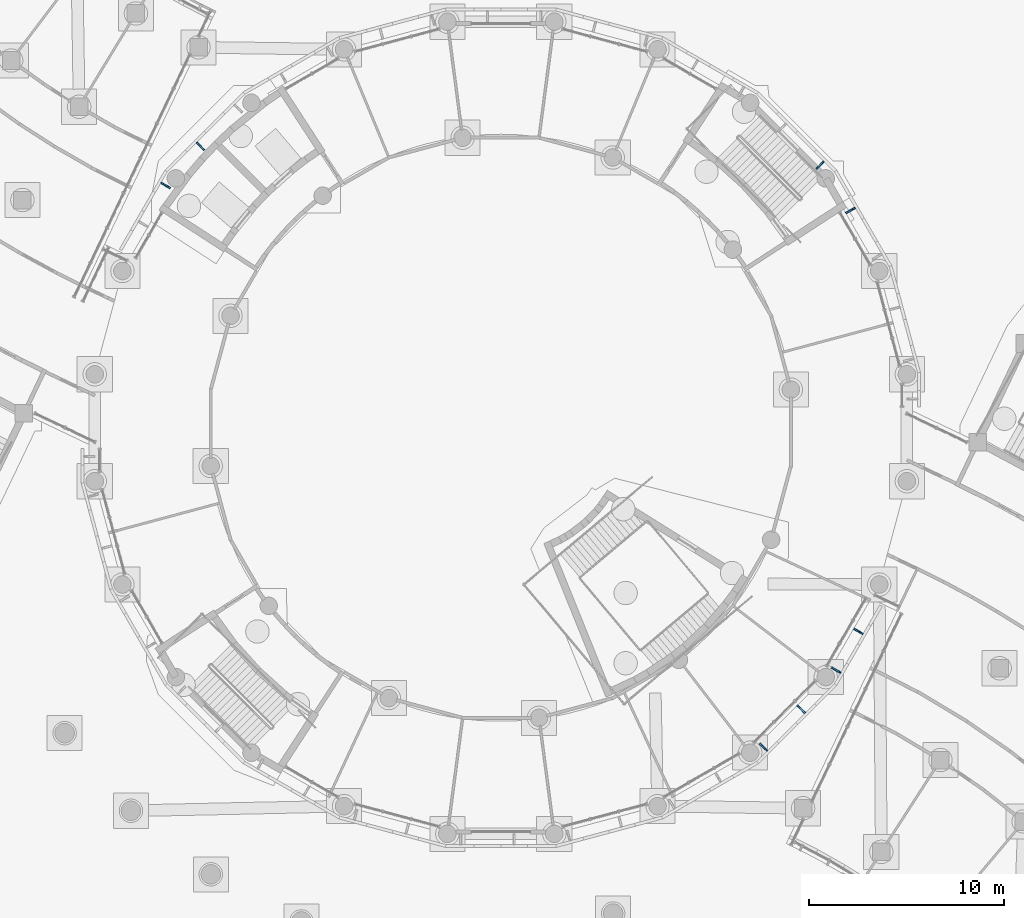
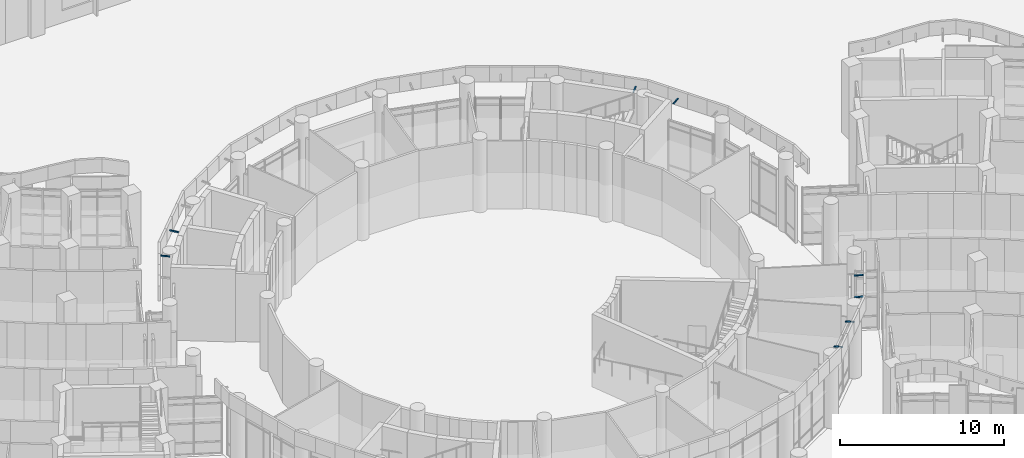
# One storey, part 108 of 146: 8 discrete accessories.
"""IFC4 building model written with IfcOpenShell, lengths in metres."""

import ifcopenshell
import ifcopenshell.guid

model = None  # the IFC model being written
_history = None  # IfcOwnerHistory: only IFC2X3 demands one
_inside = {}  # id of a spatial element -> (the spatial element, [elements in it])
_under = {}  # id of a project, library or spatial element -> (it, [spatial elements below it])
_declared = {}  # id of a project -> (the project, [libraries it declares])
_typed = {}  # id of a type object -> (the type object, [elements of that type])
_made_of = {}  # id of a material, layer set ... -> (it, [elements and type objects made of it])


def new_model(schema):
    """Start an empty IFC model of exactly this schema.

    Asked for "IFC4X3", IfcOpenShell would pick the latest addendum, in which some entities
    have other attributes; the version numbers below select the first issue.
    IFC2X3 requires an IfcOwnerHistory on every rooted entity: one is made here for all.
    """
    global model, _history
    if schema == "IFC4X3":
        model = ifcopenshell.file(schema_version=(4, 3, 0, 0))
    else:
        model = ifcopenshell.file(schema=schema)
    _inside.clear()
    _under.clear()
    _declared.clear()
    _typed.clear()
    _made_of.clear()
    _history = None
    if model.schema == "IFC2X3":
        org = make("IfcOrganization", Name="unknown")
        user = make(
            "IfcPersonAndOrganization",
            ThePerson=make("IfcPerson", FamilyName="unknown"),
            TheOrganization=org,
        )
        app = make(
            "IfcApplication",
            ApplicationDeveloper=org,
            Version="unknown",
            ApplicationFullName="unknown",
            ApplicationIdentifier="unknown",
        )
        _history = make(
            "IfcOwnerHistory",
            OwningUser=user,
            OwningApplication=app,
            ChangeAction="ADDED",
            CreationDate=0,
        )
    return model


def make(cls, **values):
    """One entity of the class cls with the attributes given. An attribute that is None is left unset."""
    return model.create_entity(
        cls, **{name: value for name, value in values.items() if value is not None}
    )


def rooted(cls, **values):
    """An entity with a GlobalId (a new one), such as an element, a storey or a relation."""
    return make(cls, GlobalId=ifcopenshell.guid.new(), OwnerHistory=_history, **values)


def si_unit(unit_type, name, prefix=None):
    """IfcSIUnit, for example si_unit("LENGTHUNIT", "METRE", prefix="MILLI")."""
    return make("IfcSIUnit", UnitType=unit_type, Prefix=prefix, Name=name)


def assignment(units):
    """IfcUnitAssignment: the units of a project."""
    return None if units is None else make("IfcUnitAssignment", Units=units)


def point(xyz):
    """IfcCartesianPoint."""
    return None if xyz is None else make("IfcCartesianPoint", Coordinates=xyz)


def direction(xyz):
    """IfcDirection."""
    return None if xyz is None else make("IfcDirection", DirectionRatios=xyz)


def frame(location, z_axis=None, x_axis=None):
    """IfcAxis2Placement3D, a coordinate frame: its origin and axes. An axis left out is left unset."""
    return make(
        "IfcAxis2Placement3D",
        Location=point(location),
        Axis=direction(z_axis),
        RefDirection=direction(x_axis),
    )


def frame_2d(location, x_axis=None):
    """IfcAxis2Placement2D, a coordinate frame in the plane: its origin and x axis."""
    return make(
        "IfcAxis2Placement2D", Location=point(location), RefDirection=direction(x_axis)
    )


def origin():
    """The frame at (0, 0, 0) with its axes left unset."""
    return frame((0.0, 0.0, 0.0))


def origin_2d():
    """The frame at (0, 0) in the plane with its x axis left unset."""
    return frame_2d((0.0, 0.0))


def place(relative_to, where):
    """IfcLocalPlacement: puts the frame where relative to a parent placement (None: the world)."""
    return make(
        "IfcLocalPlacement", PlacementRelTo=relative_to, RelativePlacement=where
    )


def context(
    kind, dimensions, precision=None, world=None, true_north=None, identifier=None
):
    """IfcGeometricRepresentationContext, for example the 3D "Model" context."""
    return make(
        "IfcGeometricRepresentationContext",
        ContextIdentifier=identifier,
        ContextType=kind,
        CoordinateSpaceDimension=dimensions,
        Precision=precision,
        WorldCoordinateSystem=world,
        TrueNorth=true_north,
    )


def subcontext(parent, identifier, kind, view, scale=None):
    """IfcGeometricRepresentationSubContext, for example "Body" below "Model"."""
    return make(
        "IfcGeometricRepresentationSubContext",
        ContextIdentifier=identifier,
        ContextType=kind,
        ParentContext=parent,
        TargetScale=scale,
        TargetView=view,
    )


def project(units=None, contexts=None):
    """IfcProject with its units and contexts."""
    return rooted(
        "IfcProject",
        Name="project",
        RepresentationContexts=contexts,
        UnitsInContext=assignment(units),
    )


def spatial(cls, under=None, at=None, **own):
    """A site, building, storey or space (cls), placed at a placement, below another one or the project."""
    s = rooted(cls, ObjectPlacement=at, **own)
    if under is not None:
        _under.setdefault(under.id(), (under, []))[1].append(s)
    return s


def profile(cls, at=None, kind="AREA", **sizes):
    """A parametric profile (cls). Its sizes go by their IFC names, for example OverallWidth=200.0."""
    return make(cls, ProfileType=kind, Position=at, **sizes)


def rectangle(**sizes):
    """IfcRectangleProfileDef."""
    return profile("IfcRectangleProfileDef", **sizes)


def extrude(swept, where, along, depth):
    """IfcExtrudedAreaSolid: the profile swept, set in the frame where, extruded along a direction by depth."""
    return make(
        "IfcExtrudedAreaSolid",
        SweptArea=swept,
        Position=where,
        ExtrudedDirection=direction(along),
        Depth=depth,
    )


def shape(context_of_items, identifier, shape_type, items):
    """IfcShapeRepresentation: the items that make up one representation, for example the "Body"."""
    return make(
        "IfcShapeRepresentation",
        ContextOfItems=context_of_items,
        RepresentationIdentifier=identifier,
        RepresentationType=shape_type,
        Items=items,
    )


def material(Name=None, Category=None):
    """IfcMaterial."""
    return make("IfcMaterial", Name=Name, Category=Category)


def material_profile(
    of_material, cross_section, Name=None, Category=None, Priority=None
):
    """IfcMaterialProfile: a cross section and its material."""
    return make(
        "IfcMaterialProfile",
        Name=Name,
        Material=of_material,
        Profile=cross_section,
        Priority=Priority,
        Category=Category,
    )


def profile_set(profiles, Name=None, composite=None):
    """IfcMaterialProfileSet."""
    return make(
        "IfcMaterialProfileSet",
        Name=Name,
        MaterialProfiles=profiles,
        CompositeProfile=composite,
    )


def made_of(thing, what):
    """Note that an element or type object is made of a material, layer set ...; save() writes the relation."""
    if what is not None:
        _made_of.setdefault(what.id(), (what, []))[1].append(thing)
    return thing


def type_object(cls, material=None, **own):
    """A type object (cls), such as IfcWallType, which elements share."""
    return made_of(rooted(cls, **own), material)


def element(
    cls,
    number,
    at=None,
    inside=None,
    cuts=None,
    type_object=None,
    material=None,
    context=None,
    identifier="Body",
    shape_type=None,
    held_by="IfcProductDefinitionShape",
    body=None,
    shapes=None,
    **own,
):
    """One element of the class cls, such as IfcWall. Its Tag is "e" and its number.

    at: its placement. inside: the storey or other place that contains it. cuts: it is an
    opening in that element (IfcRelVoidsElement). A single representation is given by context,
    identifier, shape_type and body (its items); several are given by shapes. held_by: the class
    of the entity that holds the representations. save() writes the other relations.
    """
    e = rooted(cls, Tag="e%d" % number, ObjectPlacement=at, **own)
    if body is not None:
        shapes = [shape(context, identifier, shape_type, body)]
    if shapes is not None:
        e.Representation = make(held_by, Representations=shapes)
    if inside is not None:
        _inside.setdefault(inside.id(), (inside, []))[1].append(e)
    if cuts is not None:
        rooted(
            "IfcRelVoidsElement", RelatingBuildingElement=cuts, RelatedOpeningElement=e
        )
    if type_object is not None:
        _typed.setdefault(type_object.id(), (type_object, []))[1].append(e)
    return made_of(e, material)


def aggregate(whole, parts):
    """IfcRelAggregates: a whole, such as a stair, and the parts it consists of."""
    return rooted("IfcRelAggregates", RelatingObject=whole, RelatedObjects=parts)


def save(model, path):
    """Write the relations noted so far, then the file.

    IfcRelAggregates (storeys below a building ...), IfcRelContainedInSpatialStructure (elements
    in a storey), IfcRelDefinesByType, IfcRelAssociatesMaterial and IfcRelDeclares: one each for
    every whole, place, type object, material and project.
    """
    for whole, parts in _under.values():
        aggregate(whole, parts)
    for where, things in _inside.values():
        rooted(
            "IfcRelContainedInSpatialStructure",
            RelatedElements=things,
            RelatingStructure=where,
        )
    for kind, things in _typed.values():
        rooted("IfcRelDefinesByType", RelatedObjects=things, RelatingType=kind)
    for what, things in _made_of.values():
        rooted("IfcRelAssociatesMaterial", RelatedObjects=things, RelatingMaterial=what)
    for by, libraries in _declared.values():
        rooted("IfcRelDeclares", RelatingContext=by, RelatedDefinitions=libraries)
    model.write(path)


model = new_model("IFC4")

# Units and contexts
model_context = context("Model", 3, precision=1e-05, world=origin(), true_north=direction((0.0, 1.0)))
body_context = subcontext(model_context, "Body", "Model", "MODEL_VIEW")
ifc_project = project(units=[si_unit("LENGTHUNIT", "METRE"), si_unit("AREAUNIT", "SQUARE_METRE"), si_unit("VOLUMEUNIT", "CUBIC_METRE"), si_unit("PLANEANGLEUNIT", "RADIAN"), si_unit("MASSUNIT", "GRAM", prefix="KILO")], contexts=[model_context])

# Site, building, storey
site_placement = place(None, origin())
site = spatial("IfcSite", under=ifc_project, at=site_placement, CompositionType="ELEMENT")
building_placement = place(site_placement, origin())
building = spatial("IfcBuilding", under=site, at=building_placement, Name="Bougainvillea Quay General Hospital", CompositionType="ELEMENT")
storey_placement = place(building_placement, origin())
storey = spatial("IfcBuildingStorey", under=building, at=storey_placement, Name="L00", CompositionType="ELEMENT", Elevation=0.0)

# Discrete accessories
ifc_material = material(Name="Stainless steel bracket, grade 316", Category="steel")
ifc_material_profile = material_profile(ifc_material, rectangle(XDim=0.080078125, YDim=0.050048828125, at=origin_2d()))
ifc_profile_set = profile_set([ifc_material_profile], Name="Stainless steel bracket, grade 316")
discrete_accessory_type = type_object("IfcDiscreteAccessoryType", Name="Stainless steel stand-off bracket 80x50", PredefinedType="BRACKET", material=ifc_profile_set)
for number, where, z_axis, x_axis, name in (
    (1, (126.887939453125, 85.00341796875, 5.340087890625), (0.860837738787, 0.497265059771, 0.10810109995), (-0.500196256984, 0.865912065108, 0.0), "Fascia bracket e0 9"),
    (2, (125.37548828125, 87.2685546875, 5.340087890625), (0.702962071762, 0.702962071762, 0.108114066279), (-0.707106781187, 0.707106781187, 0.0), "Fascia bracket e0 11"),
    (3, (93.993408203125, 88.237548828125, 5.340087890625), (-0.702962071762, 0.702962071762, 0.108114066279), (-0.707106781187, -0.707106781187, 0.0), "Fascia bracket e0 37"),
    (4, (92.25341796875, 86.28759765625, 5.340087890625), (-0.861026591596, 0.496932825288, 0.108124815449), (-0.499863360881, -0.866104278045, 0.0), "Fascia bracket e0 39"),
    (5, (122.468505859375, 57.824462890625, 5.340087890625), (0.702962071762, -0.702962071762, 0.108114066279), (0.707106781187, 0.707106781187, 0.0), "Fascia bracket e1 35"),
    (6, (124.406494140625, 59.762451171875, 5.340087890625), (0.702962071762, -0.702962071762, 0.108114066279), (0.707106781187, 0.707106781187, 0.0), "Fascia bracket e1 37"),
    (7, (126.146728515625, 61.71240234375, 5.340087890625), (0.861026591596, -0.496932825288, 0.108124815449), (0.499863360881, 0.866104278045, 0.0), "Fascia bracket e1 39"),
    (8, (127.293212890625, 63.698486328125, 5.340087890625), (0.861026591596, -0.496932825288, 0.108124815449), (0.499863360881, 0.866104278045, 0.0), "Fascia bracket e1 41"),
):
    element("IfcDiscreteAccessory", number, at=place(storey_placement, frame(where, z_axis=z_axis, x_axis=x_axis)), inside=storey, type_object=discrete_accessory_type, Name=name, PredefinedType="BRACKET", context=body_context, shape_type="SweptSolid", body=[
        extrude(rectangle(XDim=0.080078125, YDim=0.050048828125, at=origin_2d()), origin(), (0.0, 0.0, 1.0), 0.55322265625),
    ])

save(model, "model.ifc")
